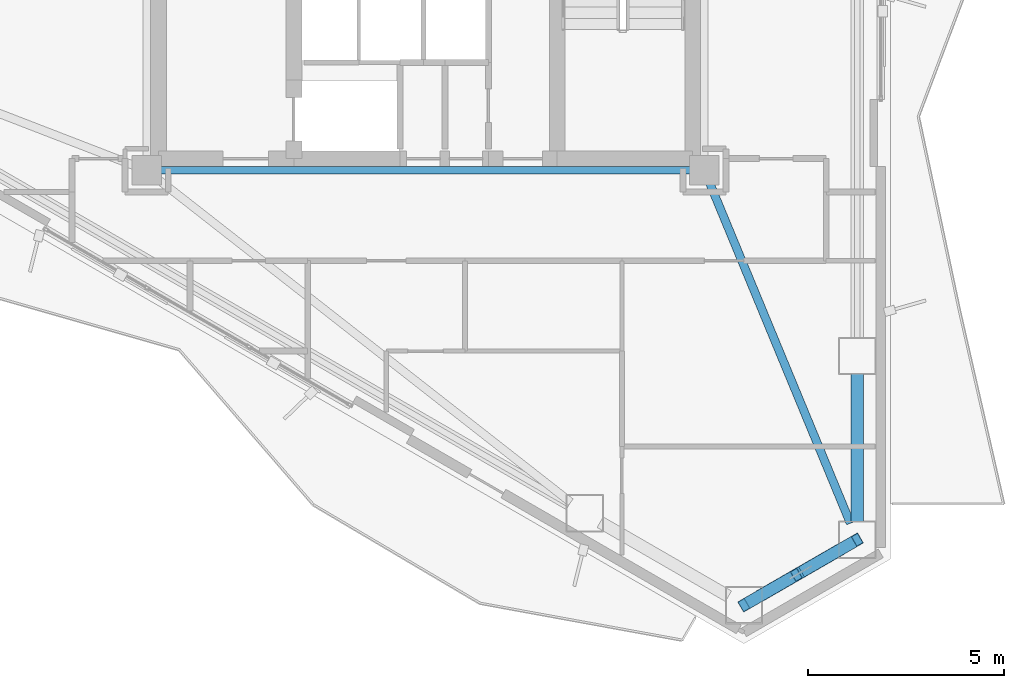
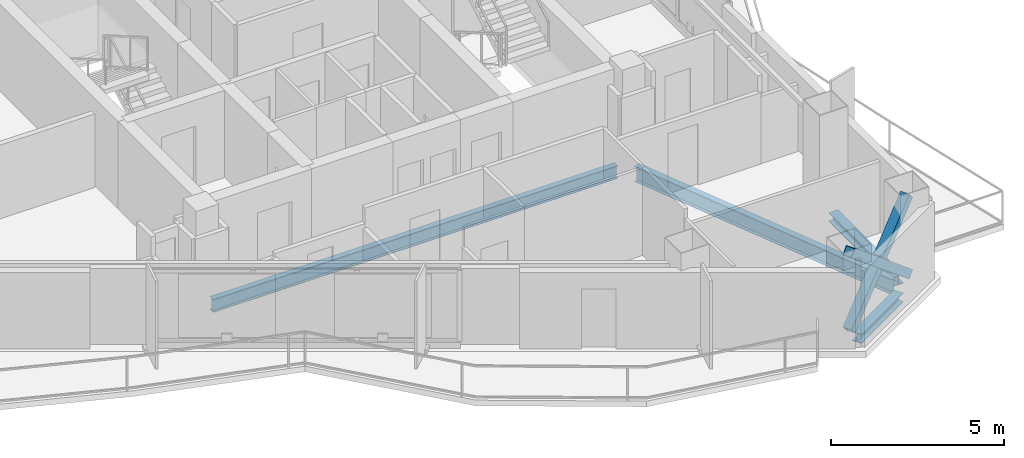
# One storey, part 5 of 21: 4 beams, 3 members.
"""IFC4 building model written with IfcOpenShell, lengths in metres."""

from ifc_helpers import new_model, si_unit, direction, frame, origin, origin_2d, place, context, subcontext, project, spatial, hollow_rectangle, i_section, extrude, material, material_profile, profile_set, type_object, element, save


model = new_model("IFC4")

# Units and contexts
model_context = context("Model", 3, precision=1e-05, world=origin(), true_north=direction((0.0, 1.0)))
body_context = subcontext(model_context, "Body", "Model", "MODEL_VIEW")
ifc_project = project(units=[si_unit("LENGTHUNIT", "METRE"), si_unit("AREAUNIT", "SQUARE_METRE"), si_unit("VOLUMEUNIT", "CUBIC_METRE"), si_unit("PLANEANGLEUNIT", "RADIAN"), si_unit("MASSUNIT", "GRAM", prefix="KILO")], contexts=[model_context])

# Site, building, storey
site_placement = place(None, origin())
site = spatial("IfcSite", under=ifc_project, at=site_placement, CompositionType="ELEMENT")
building_placement = place(site_placement, origin())
building = spatial("IfcBuilding", under=site, at=building_placement, Name="Mersakhor Tower and Convention Hall", CompositionType="ELEMENT")
storey_placement = place(building_placement, frame((0.0, 0.0, 178.800048828125)))
storey = spatial("IfcBuildingStorey", under=building, at=storey_placement, Name="L49", CompositionType="ELEMENT", Elevation=178.800048828125)

# Beams
ifc_material_1 = material(Name="Steel S355", Category="steel")
ifc_material_profile_1 = material_profile(ifc_material_1, i_section(OverallWidth=0.19140625, OverallDepth=0.4599609375, WebThickness=0.010009765625, FlangeThickness=0.01611328125, at=origin_2d()), Name="UB 457x191x82")
ifc_profile_set_1 = profile_set([ifc_material_profile_1], Name="Steel S355")
beam_type_1 = type_object("IfcBeamType", Name="BM-FB-457", PredefinedType="BEAM", material=ifc_profile_set_1)
beam_1_placement = place(storey_placement, frame((35.7451171875, 20.449951171875, -0.4599609375), z_axis=(-1.0, 0.0, 0.0), x_axis=(0.0, -1.0, 0.0)))
element("IfcBeam", 1, at=beam_1_placement, inside=storey, type_object=beam_type_1, Name="L49 Core Ring Tie Beam CRB-4", PredefinedType="BEAM", context=body_context, shape_type="SweptSolid", body=[
    extrude(i_section(OverallWidth=0.19140625, OverallDepth=0.4599609375, WebThickness=0.010009765625, FlangeThickness=0.01611328125, at=origin_2d()), origin(), (0.0, 0.0, 1.0), 13.490234375),
])
ifc_material_2 = material(Name="Steel S355", Category="steel")
ifc_material_profile_2 = material_profile(ifc_material_2, i_section(OverallWidth=0.2099609375, OverallDepth=0.53662109375, WebThickness=0.0107421875, FlangeThickness=0.017333984375, at=origin_2d()), Name="UB 533x210x101")
ifc_profile_set_2 = profile_set([ifc_material_profile_2], Name="Steel S355")
beam_type_2 = type_object("IfcBeamType", Name="BM-FB-533", PredefinedType="BEAM", material=ifc_profile_set_2)
beam_2_placement = place(storey_placement, frame((36.235595703125, 20.121826171875, -0.49853515625), z_axis=(0.382185218717, -0.924085742015, 0.0), x_axis=(0.924085742015, 0.382185218717, 0.0)))
element("IfcBeam", 2, at=beam_2_placement, inside=storey, type_object=beam_type_2, Name="L49 Primary Floor Girder FG-4", PredefinedType="BEAM", context=body_context, shape_type="SweptSolid", body=[
    extrude(i_section(OverallWidth=0.2099609375, OverallDepth=0.53662109375, WebThickness=0.0107421875, FlangeThickness=0.017333984375, at=origin_2d()), origin(), (0.0, 0.0, 1.0), 9.3642578125),
])
ifc_material_3 = material(Name="Steel S355", Category="steel")
ifc_material_profile_3 = material_profile(ifc_material_3, i_section(OverallWidth=0.30908203125, OverallDepth=0.320556640625, WebThickness=0.013916015625, FlangeThickness=0.021728515625, at=origin_2d()), Name="UC 305x305x137")
ifc_profile_set_3 = profile_set([ifc_material_profile_3], Name="Steel S355")
beam_type_3 = type_object("IfcBeamType", Name="BM-SPD-UC305", PredefinedType="SPANDREL", material=ifc_profile_set_3)
beam_3_placement = place(storey_placement, frame((39.98828125, 15.272216796875, -0.39013671875), z_axis=(0.0, -1.0, 0.0), x_axis=(1.0, 0.0, 0.0)))
element("IfcBeam", 3, at=beam_3_placement, inside=storey, type_object=beam_type_3, Name="L49 Perimeter Spandrel Beam SPB-07", PredefinedType="SPANDREL", context=body_context, shape_type="SweptSolid", body=[
    extrude(i_section(OverallWidth=0.30908203125, OverallDepth=0.320556640625, WebThickness=0.013916015625, FlangeThickness=0.021728515625, at=origin_2d()), origin(), (0.0, 0.0, 1.0), 3.769287109375),
])
beam_4_placement = place(storey_placement, frame((39.594482421875, 10.820556640625, -0.39013671875), z_axis=(-0.86605626798, -0.499946537834, 0.0), x_axis=(0.499946537834, -0.86605626798, 0.0)))
element("IfcBeam", 4, at=beam_4_placement, inside=storey, type_object=beam_type_3, Name="L49 Perimeter Spandrel Beam SPB-08", PredefinedType="SPANDREL", context=body_context, shape_type="SweptSolid", body=[
    extrude(i_section(OverallWidth=0.30908203125, OverallDepth=0.320556640625, WebThickness=0.013916015625, FlangeThickness=0.021728515625, at=origin_2d()), origin(), (0.0, 0.0, 1.0), 2.420654296875),
])

# Members
ifc_material_4 = material(Name="Steel S355", Category="steel")
ifc_material_profile_4 = material_profile(ifc_material_4, hollow_rectangle(XDim=0.300048828125, YDim=0.300048828125, WallThickness=0.01611328125, at=origin_2d()), Name="SHS 300x300x16")
ifc_profile_set_4 = profile_set([ifc_material_profile_4], Name="Steel S355")
member_type = type_object("IfcMemberType", Name="MB-BRC-SHS300", PredefinedType="BRACE", material=ifc_profile_set_4)
member_1_placement = place(storey_placement, frame((39.98828125, 11.048095703125, 0.14990234375), z_axis=(-0.665824923443, -0.384424564314, 0.639448923429), x_axis=(0.50001011158, -0.866019565782, 0.0)))
element("IfcMember", 5, at=member_1_placement, inside=storey, type_object=member_type, Name="L49 Chamfer Braced Frame Diagonal CB-2A", PredefinedType="BRACE", context=body_context, shape_type="SweptSolid", body=[
    extrude(hollow_rectangle(XDim=0.300048828125, YDim=0.300048828125, WallThickness=0.01611328125, at=origin_2d()), origin(), (0.0, 0.0, 1.0), 4.331787109375),
])
member_2_placement = place(storey_placement, frame((37.10400390625, 9.3828125, 0.14990234375), z_axis=(0.665779245823, 0.384445210881, 0.639484069905), x_axis=(-0.50005597947, 0.86599308161, 0.0)))
element("IfcMember", 6, at=member_2_placement, inside=storey, type_object=member_type, Name="L49 Chamfer Braced Frame Diagonal CB-2B Lower Half", PredefinedType="BRACE", context=body_context, shape_type="SweptSolid", body=[
    extrude(hollow_rectangle(XDim=0.300048828125, YDim=0.300048828125, WallThickness=0.01611328125, at=origin_2d()), origin(), (0.0, 0.0, 1.0), 2.00537109375),
])
member_3_placement = place(storey_placement, frame((38.6533203125, 10.277099609375, 1.6376953125), z_axis=(0.665763296387, 0.384506307606, 0.639463941592), x_axis=(-0.500124558158, 0.865953478154, 0.0)))
element("IfcMember", 7, at=member_3_placement, inside=storey, type_object=member_type, Name="L49 Chamfer Braced Frame Diagonal CB-2B Upper Half", PredefinedType="BRACE", context=body_context, shape_type="SweptSolid", body=[
    extrude(hollow_rectangle(XDim=0.300048828125, YDim=0.300048828125, WallThickness=0.01611328125, at=origin_2d()), origin(), (0.0, 0.0, 1.0), 2.005126953125),
])

save(model, "model.ifc")
